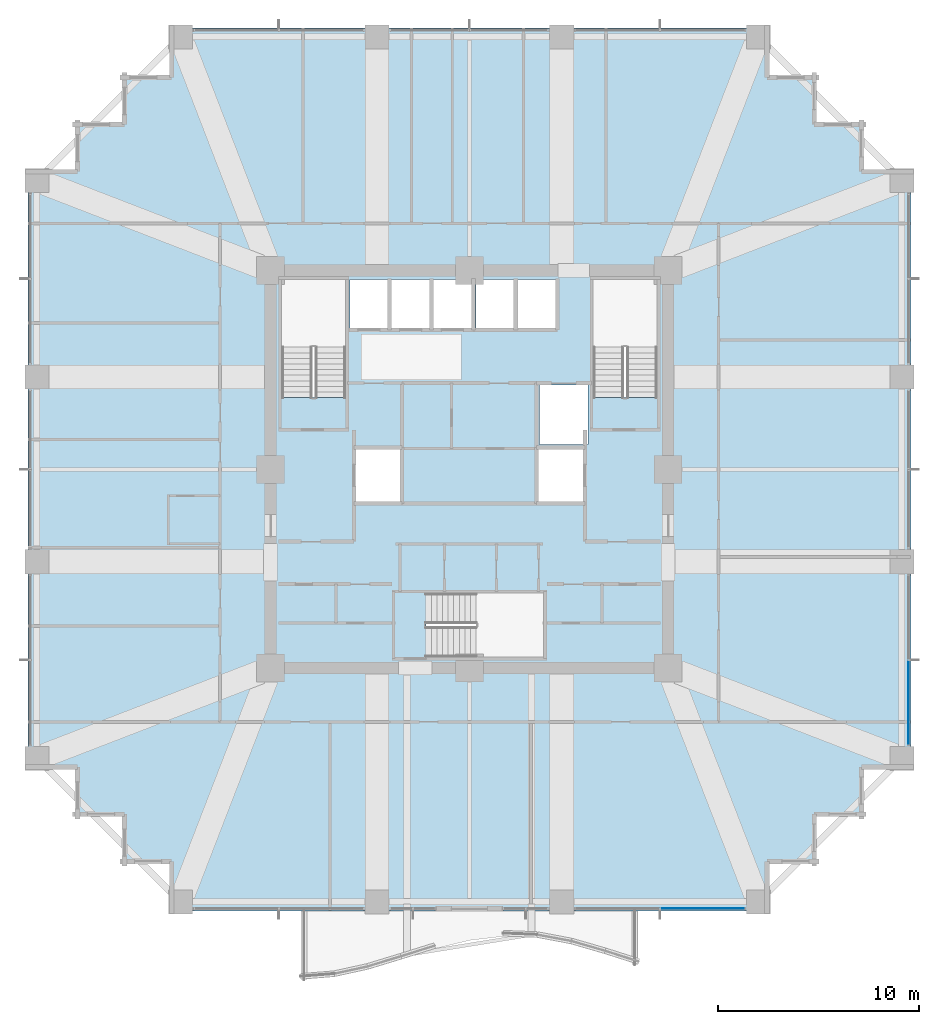
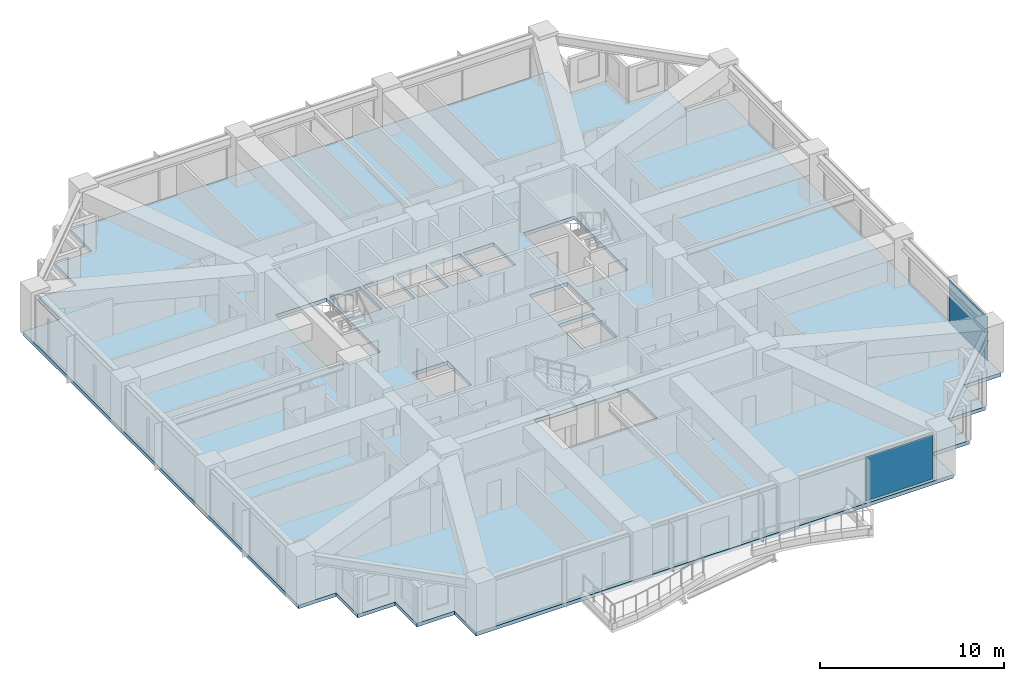
# One storey, part 28 of 37: 2 plates, 1 slab, 2 elements without a shape of their own.
"""IFC4 building model written with IfcOpenShell, lengths in metres."""

import ifcopenshell
import ifcopenshell.guid

model = None  # the IFC model being written
_history = None  # IfcOwnerHistory: only IFC2X3 demands one
_inside = {}  # id of a spatial element -> (the spatial element, [elements in it])
_under = {}  # id of a project, library or spatial element -> (it, [spatial elements below it])
_declared = {}  # id of a project -> (the project, [libraries it declares])
_typed = {}  # id of a type object -> (the type object, [elements of that type])
_made_of = {}  # id of a material, layer set ... -> (it, [elements and type objects made of it])


def new_model(schema):
    """Start an empty IFC model of exactly this schema.

    Asked for "IFC4X3", IfcOpenShell would pick the latest addendum, in which some entities
    have other attributes; the version numbers below select the first issue.
    IFC2X3 requires an IfcOwnerHistory on every rooted entity: one is made here for all.
    """
    global model, _history
    if schema == "IFC4X3":
        model = ifcopenshell.file(schema_version=(4, 3, 0, 0))
    else:
        model = ifcopenshell.file(schema=schema)
    _inside.clear()
    _under.clear()
    _declared.clear()
    _typed.clear()
    _made_of.clear()
    _history = None
    if model.schema == "IFC2X3":
        org = make("IfcOrganization", Name="unknown")
        user = make(
            "IfcPersonAndOrganization",
            ThePerson=make("IfcPerson", FamilyName="unknown"),
            TheOrganization=org,
        )
        app = make(
            "IfcApplication",
            ApplicationDeveloper=org,
            Version="unknown",
            ApplicationFullName="unknown",
            ApplicationIdentifier="unknown",
        )
        _history = make(
            "IfcOwnerHistory",
            OwningUser=user,
            OwningApplication=app,
            ChangeAction="ADDED",
            CreationDate=0,
        )
    return model


def make(cls, **values):
    """One entity of the class cls with the attributes given. An attribute that is None is left unset."""
    return model.create_entity(
        cls, **{name: value for name, value in values.items() if value is not None}
    )


def rooted(cls, **values):
    """An entity with a GlobalId (a new one), such as an element, a storey or a relation."""
    return make(cls, GlobalId=ifcopenshell.guid.new(), OwnerHistory=_history, **values)


def si_unit(unit_type, name, prefix=None):
    """IfcSIUnit, for example si_unit("LENGTHUNIT", "METRE", prefix="MILLI")."""
    return make("IfcSIUnit", UnitType=unit_type, Prefix=prefix, Name=name)


def assignment(units):
    """IfcUnitAssignment: the units of a project."""
    return None if units is None else make("IfcUnitAssignment", Units=units)


def point(xyz):
    """IfcCartesianPoint."""
    return None if xyz is None else make("IfcCartesianPoint", Coordinates=xyz)


def direction(xyz):
    """IfcDirection."""
    return None if xyz is None else make("IfcDirection", DirectionRatios=xyz)


def frame(location, z_axis=None, x_axis=None):
    """IfcAxis2Placement3D, a coordinate frame: its origin and axes. An axis left out is left unset."""
    return make(
        "IfcAxis2Placement3D",
        Location=point(location),
        Axis=direction(z_axis),
        RefDirection=direction(x_axis),
    )


def frame_2d(location, x_axis=None):
    """IfcAxis2Placement2D, a coordinate frame in the plane: its origin and x axis."""
    return make(
        "IfcAxis2Placement2D", Location=point(location), RefDirection=direction(x_axis)
    )


def origin():
    """The frame at (0, 0, 0) with its axes left unset."""
    return frame((0.0, 0.0, 0.0))


def origin_2d():
    """The frame at (0, 0) in the plane with its x axis left unset."""
    return frame_2d((0.0, 0.0))


def place(relative_to, where):
    """IfcLocalPlacement: puts the frame where relative to a parent placement (None: the world)."""
    return make(
        "IfcLocalPlacement", PlacementRelTo=relative_to, RelativePlacement=where
    )


def context(
    kind, dimensions, precision=None, world=None, true_north=None, identifier=None
):
    """IfcGeometricRepresentationContext, for example the 3D "Model" context."""
    return make(
        "IfcGeometricRepresentationContext",
        ContextIdentifier=identifier,
        ContextType=kind,
        CoordinateSpaceDimension=dimensions,
        Precision=precision,
        WorldCoordinateSystem=world,
        TrueNorth=true_north,
    )


def subcontext(parent, identifier, kind, view, scale=None):
    """IfcGeometricRepresentationSubContext, for example "Body" below "Model"."""
    return make(
        "IfcGeometricRepresentationSubContext",
        ContextIdentifier=identifier,
        ContextType=kind,
        ParentContext=parent,
        TargetScale=scale,
        TargetView=view,
    )


def project(units=None, contexts=None):
    """IfcProject with its units and contexts."""
    return rooted(
        "IfcProject",
        Name="project",
        RepresentationContexts=contexts,
        UnitsInContext=assignment(units),
    )


def spatial(cls, under=None, at=None, **own):
    """A site, building, storey or space (cls), placed at a placement, below another one or the project."""
    s = rooted(cls, ObjectPlacement=at, **own)
    if under is not None:
        _under.setdefault(under.id(), (under, []))[1].append(s)
    return s


def polyline(points):
    """IfcPolyline through the points."""
    return make("IfcPolyline", Points=[point(p) for p in points])


def profile(cls, at=None, kind="AREA", **sizes):
    """A parametric profile (cls). Its sizes go by their IFC names, for example OverallWidth=200.0."""
    return make(cls, ProfileType=kind, Position=at, **sizes)


def rectangle(**sizes):
    """IfcRectangleProfileDef."""
    return profile("IfcRectangleProfileDef", **sizes)


def outline(outer, holes=None, kind="AREA"):
    """IfcArbitraryClosedProfileDef: a profile drawn as a closed curve; with holes, ...WithVoids."""
    if holes is None:
        return make("IfcArbitraryClosedProfileDef", ProfileType=kind, OuterCurve=outer)
    return make(
        "IfcArbitraryProfileDefWithVoids",
        ProfileType=kind,
        OuterCurve=outer,
        InnerCurves=holes,
    )


def extrude(swept, where, along, depth):
    """IfcExtrudedAreaSolid: the profile swept, set in the frame where, extruded along a direction by depth."""
    return make(
        "IfcExtrudedAreaSolid",
        SweptArea=swept,
        Position=where,
        ExtrudedDirection=direction(along),
        Depth=depth,
    )


def shape(context_of_items, identifier, shape_type, items):
    """IfcShapeRepresentation: the items that make up one representation, for example the "Body"."""
    return make(
        "IfcShapeRepresentation",
        ContextOfItems=context_of_items,
        RepresentationIdentifier=identifier,
        RepresentationType=shape_type,
        Items=items,
    )


def material(Name=None, Category=None):
    """IfcMaterial."""
    return make("IfcMaterial", Name=Name, Category=Category)


def layer(
    of_material, thickness, ventilated=None, Name=None, Category=None, Priority=None
):
    """IfcMaterialLayer: one layer of a wall or slab, of a material (None: an air gap)."""
    return make(
        "IfcMaterialLayer",
        Material=of_material,
        LayerThickness=thickness,
        IsVentilated=ventilated,
        Name=Name,
        Category=Category,
        Priority=Priority,
    )


def layer_set(layers, Name=None):
    """IfcMaterialLayerSet."""
    return make("IfcMaterialLayerSet", MaterialLayers=layers, LayerSetName=Name)


def made_of(thing, what):
    """Note that an element or type object is made of a material, layer set ...; save() writes the relation."""
    if what is not None:
        _made_of.setdefault(what.id(), (what, []))[1].append(thing)
    return thing


def type_object(cls, material=None, **own):
    """A type object (cls), such as IfcWallType, which elements share."""
    return made_of(rooted(cls, **own), material)


def element(
    cls,
    number,
    at=None,
    inside=None,
    cuts=None,
    type_object=None,
    material=None,
    context=None,
    identifier="Body",
    shape_type=None,
    held_by="IfcProductDefinitionShape",
    body=None,
    shapes=None,
    **own,
):
    """One element of the class cls, such as IfcWall. Its Tag is "e" and its number.

    at: its placement. inside: the storey or other place that contains it. cuts: it is an
    opening in that element (IfcRelVoidsElement). A single representation is given by context,
    identifier, shape_type and body (its items); several are given by shapes. held_by: the class
    of the entity that holds the representations. save() writes the other relations.
    """
    e = rooted(cls, Tag="e%d" % number, ObjectPlacement=at, **own)
    if body is not None:
        shapes = [shape(context, identifier, shape_type, body)]
    if shapes is not None:
        e.Representation = make(held_by, Representations=shapes)
    if inside is not None:
        _inside.setdefault(inside.id(), (inside, []))[1].append(e)
    if cuts is not None:
        rooted(
            "IfcRelVoidsElement", RelatingBuildingElement=cuts, RelatedOpeningElement=e
        )
    if type_object is not None:
        _typed.setdefault(type_object.id(), (type_object, []))[1].append(e)
    return made_of(e, material)


def aggregate(whole, parts):
    """IfcRelAggregates: a whole, such as a stair, and the parts it consists of."""
    return rooted("IfcRelAggregates", RelatingObject=whole, RelatedObjects=parts)


def save(model, path):
    """Write the relations noted so far, then the file.

    IfcRelAggregates (storeys below a building ...), IfcRelContainedInSpatialStructure (elements
    in a storey), IfcRelDefinesByType, IfcRelAssociatesMaterial and IfcRelDeclares: one each for
    every whole, place, type object, material and project.
    """
    for whole, parts in _under.values():
        aggregate(whole, parts)
    for where, things in _inside.values():
        rooted(
            "IfcRelContainedInSpatialStructure",
            RelatedElements=things,
            RelatingStructure=where,
        )
    for kind, things in _typed.values():
        rooted("IfcRelDefinesByType", RelatedObjects=things, RelatingType=kind)
    for what, things in _made_of.values():
        rooted("IfcRelAssociatesMaterial", RelatedObjects=things, RelatingMaterial=what)
    for by, libraries in _declared.values():
        rooted("IfcRelDeclares", RelatingContext=by, RelatedDefinitions=libraries)
    model.write(path)


model = new_model("IFC4")

# Units and contexts
model_context = context("Model", 3, precision=1e-05, world=origin(), true_north=direction((0.0, 1.0)))
body_context = subcontext(model_context, "Body", "Model", "MODEL_VIEW")
ifc_project = project(units=[si_unit("LENGTHUNIT", "METRE"), si_unit("AREAUNIT", "SQUARE_METRE"), si_unit("VOLUMEUNIT", "CUBIC_METRE"), si_unit("PLANEANGLEUNIT", "RADIAN"), si_unit("MASSUNIT", "GRAM", prefix="KILO")], contexts=[model_context])

# Site, building, storey
site_placement = place(None, origin())
site = spatial("IfcSite", under=ifc_project, at=site_placement, CompositionType="ELEMENT")
building_placement = place(site_placement, origin())
building = spatial("IfcBuilding", under=site, at=building_placement, Name="Kolvaren Belvedere", CompositionType="ELEMENT")
storey_placement = place(building_placement, frame((0.0, 0.0, 37.0)))
storey = spatial("IfcBuildingStorey", under=building, at=storey_placement, Name="L10", CompositionType="ELEMENT", Elevation=37.0)

# Curtain wall, plate
ifc_material_1 = material(Name="Anodised pale-metal aluminium AA 6063-T6", Category="aluminium")
curtain_wall_type = type_object("IfcCurtainWallType", Name="CW-Z1-LOW", PredefinedType="NOTDEFINED", material=ifc_material_1)
curtain_wall_1_placement = place(storey_placement, origin())
curtain_wall_1 = element("IfcCurtainWall", 1, at=curtain_wall_1_placement, inside=storey, type_object=curtain_wall_type, Name="L10 Unitised Curtain Wall FCW-L10-S1-B1", PredefinedType="NOTDEFINED")
ifc_material_2 = material(Name="Low-iron triple insulated glass", Category="glass")
ifc_layer_1 = layer(ifc_material_2, 0.028076171875)
ifc_layer_set_1 = layer_set([ifc_layer_1], Name="Low-iron triple insulated glass")
plate_type = type_object("IfcPlateType", Name="CW-PNL-VIS28", PredefinedType="CURTAIN_PANEL", material=ifc_layer_set_1)
plate_1_placement = place(storey_placement, frame((11.62255859375, -21.8798828125, 0.080078125), z_axis=(0.0, 0.0, 1.0), x_axis=(-1.0, 0.0, 0.0)))
plate_1 = element("IfcPlate", 2, at=plate_1_placement, type_object=plate_type, Name="FCW-L10-S1-B1 Vision Glazing Panel 1", PredefinedType="CURTAIN_PANEL", context=body_context, shape_type="SweptSolid", body=[
    extrude(rectangle(XDim=4.1650390625, YDim=0.028076171875, at=origin_2d()), origin(), (0.0, 0.0, 1.0), 2.89990234375),
])
aggregate(curtain_wall_1, [plate_1])

curtain_wall_2_placement = place(storey_placement, origin())
curtain_wall_2 = element("IfcCurtainWall", 3, at=curtain_wall_2_placement, inside=storey, type_object=curtain_wall_type, Name="L10 Unitised Curtain Wall FCW-L10-E-B3", PredefinedType="NOTDEFINED")
plate_2_placement = place(storey_placement, frame((21.8798828125, -11.62255859375, 0.080078125), z_axis=(0.0, 0.0, 1.0), x_axis=(0.0, -1.0, 0.0)))
plate_2 = element("IfcPlate", 4, at=plate_2_placement, type_object=plate_type, Name="FCW-L10-E-B3 Vision Glazing Panel 2", PredefinedType="CURTAIN_PANEL", context=body_context, shape_type="SweptSolid", body=[
    extrude(rectangle(XDim=4.1650390625, YDim=0.028076171875, at=origin_2d()), origin(), (0.0, 0.0, 1.0), 2.89990234375),
])
aggregate(curtain_wall_2, [plate_2])

# Slab
ifc_material_3 = material(Name="Concrete C50/60", Category="concrete")
ifc_layer_2 = layer(ifc_material_3, 0.239990234375)
ifc_layer_set_2 = layer_set([ifc_layer_2], Name="Concrete C50/60")
slab_type = type_object("IfcSlabType", Name="SL-FLR-240", PredefinedType="FLOOR", material=ifc_layer_set_2)
slab_placement = place(storey_placement, frame((0.0, 0.0, -0.239990234375)))
element("IfcSlab", 5, at=slab_placement, inside=storey, type_object=slab_type, Name="L10 Primary Structural Slab", PredefinedType="FLOOR", context=body_context, shape_type="SweptSolid", body=[
    extrude(outline(polyline([(-14.949951171875, -22.0), (14.949951171875, -22.0), (14.949951171875, -19.64990234375), (17.300048828125, -19.64990234375), (17.300048828125, -17.300048828125), (19.64990234375, -17.300048828125), (19.64990234375, -14.949951171875), (22.0, -14.949951171875), (22.0, 14.949951171875), (19.64990234375, 14.949951171875), (19.64990234375, 17.300048828125), (17.300048828125, 17.300048828125), (17.300048828125, 19.64990234375), (14.949951171875, 19.64990234375), (14.949951171875, 22.0), (-14.949951171875, 22.0), (-14.949951171875, 19.64990234375), (-17.300048828125, 19.64990234375), (-17.300048828125, 17.300048828125), (-19.64990234375, 17.300048828125), (-19.64990234375, 14.949951171875), (-22.0, 14.949951171875), (-22.0, -14.949951171875), (-19.64990234375, -14.949951171875), (-19.64990234375, -17.300048828125), (-17.300048828125, -17.300048828125), (-17.300048828125, -19.64990234375), (-14.949951171875, -19.64990234375), (-14.949951171875, -22.0)]), holes=[polyline([(-9.35009765625, 3.580078125), (-6.159912109375, 3.580078125), (-6.159912109375, 9.449951171875), (-9.35009765625, 9.449951171875), (-9.35009765625, 3.580078125)]), polyline([(6.159912109375, 3.580078125), (9.35009765625, 3.580078125), (9.35009765625, 9.449951171875), (6.159912109375, 9.449951171875), (6.159912109375, 3.580078125)]), polyline([(-2.169921875, -9.35009765625), (3.699951171875, -9.35009765625), (3.699951171875, -6.159912109375), (-2.169921875, -6.159912109375), (-2.169921875, -9.35009765625)]), polyline([(-5.64990234375, -1.60009765625), (-3.449951171875, -1.60009765625), (-3.449951171875, 1.0), (-5.64990234375, 1.0), (-5.64990234375, -1.60009765625)]), polyline([(3.5, 1.25), (5.89990234375, 1.25), (5.89990234375, 4.199951171875), (3.5, 4.199951171875), (3.5, 1.25)]), polyline([(3.449951171875, -1.60009765625), (5.64990234375, -1.60009765625), (5.64990234375, 1.0), (3.449951171875, 1.0), (3.449951171875, -1.60009765625)]), polyline([(-5.9599609375, 7.050048828125), (-4.06005859375, 7.050048828125), (-4.06005859375, 9.449951171875), (-5.9599609375, 9.449951171875), (-5.9599609375, 7.050048828125)]), polyline([(-3.8798828125, 7.050048828125), (-1.97998046875, 7.050048828125), (-1.97998046875, 9.449951171875), (-3.8798828125, 9.449951171875), (-3.8798828125, 7.050048828125)]), polyline([(-1.800048828125, 7.050048828125), (0.10009765625, 7.050048828125), (0.10009765625, 9.449951171875), (-1.800048828125, 9.449951171875), (-1.800048828125, 7.050048828125)]), polyline([(0.320068359375, 7.050048828125), (2.219970703125, 7.050048828125), (2.219970703125, 9.449951171875), (0.320068359375, 9.449951171875), (0.320068359375, 7.050048828125)]), polyline([(2.39990234375, 7.050048828125), (4.300048828125, 7.050048828125), (4.300048828125, 9.449951171875), (2.39990234375, 9.449951171875), (2.39990234375, 7.050048828125)])]), origin(), (0.0, 0.0, 1.0), 0.239990234375),
])

save(model, "model.ifc")
